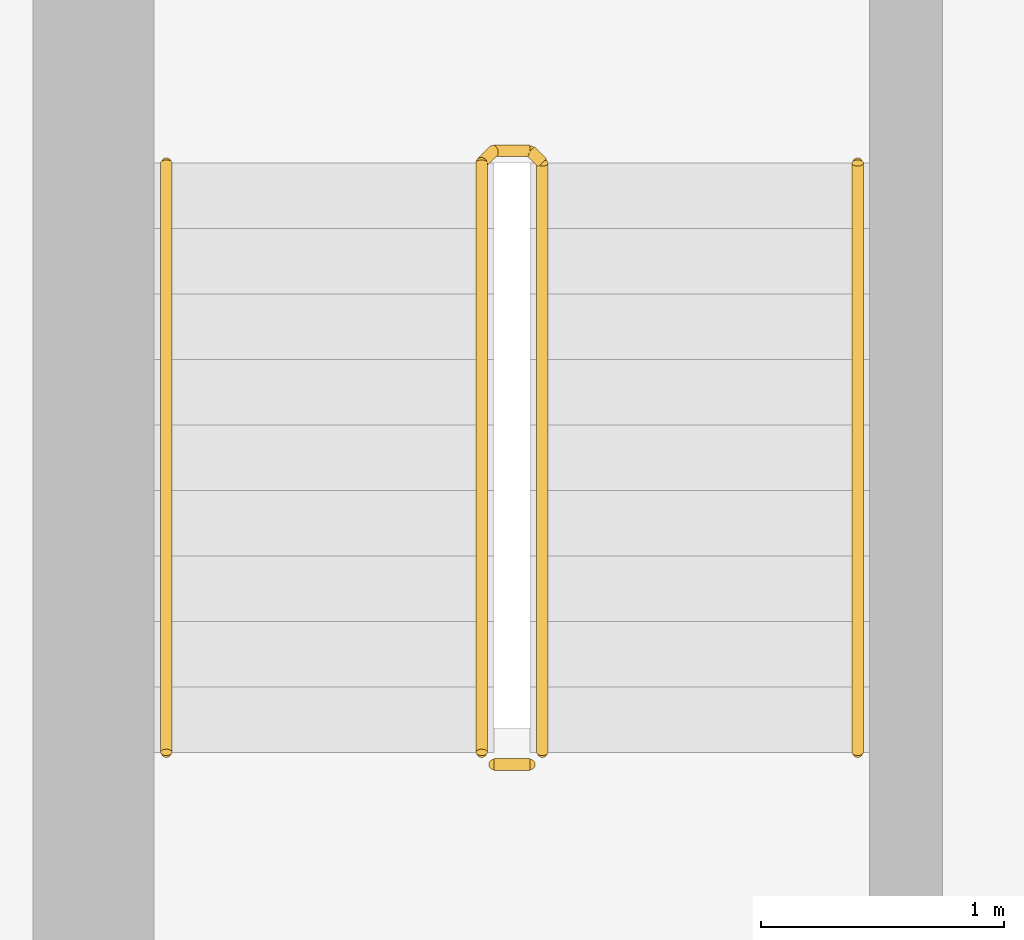
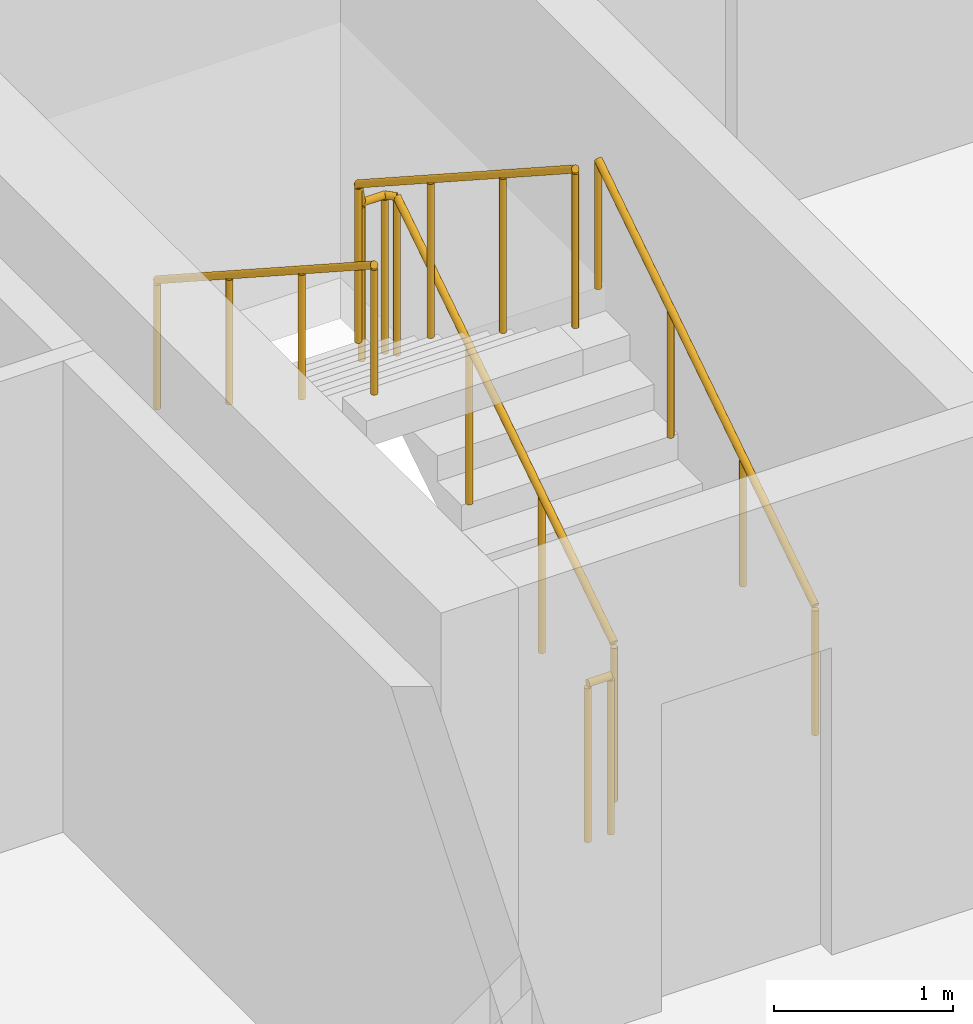
# One storey, part 13 of 18: 4 railings.
"""IFC4 building model written with IfcOpenShell, lengths in metres."""

from ifc_helpers import new_model, si_unit, direction, frame, origin, origin_2d, place, context, subcontext, project, spatial, circle, extrude, material, type_object, element, save


model = new_model("IFC4")

# Units and contexts
model_context = context("Model", 3, precision=1e-05, world=origin(), true_north=direction((0.0, 1.0)))
body_context = subcontext(model_context, "Body", "Model", "MODEL_VIEW")
ifc_project = project(units=[si_unit("LENGTHUNIT", "METRE"), si_unit("AREAUNIT", "SQUARE_METRE"), si_unit("VOLUMEUNIT", "CUBIC_METRE"), si_unit("PLANEANGLEUNIT", "RADIAN"), si_unit("MASSUNIT", "GRAM", prefix="KILO")], contexts=[model_context])

# Site, building, storey
site_placement = place(None, origin())
site = spatial("IfcSite", under=ifc_project, at=site_placement, CompositionType="ELEMENT")
building_placement = place(site_placement, origin())
building = spatial("IfcBuilding", under=site, at=building_placement, Name="Saffron Iwan Residences", CompositionType="ELEMENT")
storey_placement = place(building_placement, frame((0.0, 0.0, 257.0)))
storey = spatial("IfcBuildingStorey", under=building, at=storey_placement, Name="L69", CompositionType="ELEMENT", Elevation=257.0)

# Railings
ifc_material_1 = material(Name="Steel S355", Category="steel")
railing_type_1 = type_object("IfcRailingType", Name="Stair guard 1100", PredefinedType="GUARDRAIL", material=ifc_material_1)
railing_1_placement = place(storey_placement, frame((31.300048828125, 67.85009765625, 0.175048828125)))
element("IfcRailing", 1, at=railing_1_placement, inside=storey, type_object=railing_type_1, Name="L69 ST-W stair guard 1", PredefinedType="GUARDRAIL", context=body_context, shape_type="SweptSolid", body=[
    extrude(circle(Radius=0.02392578125, at=origin_2d()), frame((0.0, 0.0, 1.076171875), z_axis=(0.0, 0.839153699163, 0.543894354798), x_axis=(-1.0, 0.0, 0.0)), (0.0, 0.0, 1.0), 2.895751953125),
    extrude(circle(Radius=0.02392578125, at=origin_2d()), frame((0.0, 2.429931640625, 2.65087890625), z_axis=(-0.707106781187, 0.707106781187, 0.0), x_axis=(-0.707106781187, -0.707106781187, 0.0)), (0.0, 0.0, 1.0), 0.07080078125),
    extrude(circle(Radius=0.02392578125, at=origin_2d()), frame((-0.050048828125, 2.47998046875, 2.65087890625), z_axis=(-1.0, 0.0, 0.0), x_axis=(0.0, -1.0, 0.0)), (0.0, 0.0, 1.0), 0.14990234375),
    extrude(circle(Radius=0.02392578125, at=origin_2d()), frame((-0.199951171875, 2.47998046875, 2.65087890625), z_axis=(-0.265065253269, -0.265065253269, 0.927081885822), x_axis=(0.707106781187, -0.707106781187, 0.0)), (0.0, 0.0, 1.0), 0.188720703125),
    extrude(circle(Radius=0.02392578125, at=origin_2d()), frame((-0.25, 2.429931640625, 2.826171875), z_axis=(0.0, -0.839153699163, 0.543894354798), x_axis=(1.0, 0.0, 0.0)), (0.0, 0.0, 1.0), 2.895751953125),
    extrude(circle(Radius=0.02099609375, at=origin_2d()), origin(), (0.0, 0.0, 1.0), 1.052001953125),
    extrude(circle(Radius=0.02099609375, at=origin_2d()), frame((0.0, 0.81005859375, 0.52490234375)), (0.0, 0.0, 1.0), 1.052001953125),
    extrude(circle(Radius=0.02099609375, at=origin_2d()), frame((0.0, 1.619873046875, 1.050048828125)), (0.0, 0.0, 1.0), 1.052001953125),
    extrude(circle(Radius=0.02099609375, at=origin_2d()), frame((0.0, 2.429931640625, 1.574951171875)), (0.0, 0.0, 1.0), 1.052001953125),
    extrude(circle(Radius=0.02099609375, at=origin_2d()), frame((-0.050048828125, 2.47998046875, 1.574951171875)), (0.0, 0.0, 1.0), 1.052001953125),
    extrude(circle(Radius=0.02099609375, at=origin_2d()), frame((-0.199951171875, 2.47998046875, 1.574951171875)), (0.0, 0.0, 1.0), 1.052001953125),
    extrude(circle(Radius=0.02099609375, at=origin_2d()), frame((-0.25, 2.429931640625, 1.75)), (0.0, 0.0, 1.0), 1.052001953125),
    extrude(circle(Radius=0.02099609375, at=origin_2d()), frame((-0.25, 1.619873046875, 2.27490234375)), (0.0, 0.0, 1.0), 1.052001953125),
    extrude(circle(Radius=0.02099609375, at=origin_2d()), frame((-0.25, 0.81005859375, 2.800048828125)), (0.0, 0.0, 1.0), 1.052001953125),
    extrude(circle(Radius=0.02099609375, at=origin_2d()), frame((-0.25, 0.0, 3.324951171875)), (0.0, 0.0, 1.0), 1.052001953125),
])
railing_2_placement = place(storey_placement, frame((31.25, 67.800048828125, 0.0)))
element("IfcRailing", 2, at=railing_2_placement, inside=storey, type_object=railing_type_1, Name="L69 ST-W stair guard 2", PredefinedType="GUARDRAIL", context=body_context, shape_type="SweptSolid", body=[
    extrude(circle(Radius=0.02392578125, at=origin_2d()), frame((0.0, 0.0, 1.076171875), z_axis=(-1.0, 0.0, 0.0), x_axis=(0.0, -1.0, 0.0)), (0.0, 0.0, 1.0), 0.14990234375),
    extrude(circle(Radius=0.02099609375, at=origin_2d()), origin(), (0.0, 0.0, 1.0), 1.052001953125),
    extrude(circle(Radius=0.02099609375, at=origin_2d()), frame((-0.14990234375, 0.0, 0.0)), (0.0, 0.0, 1.0), 1.052001953125),
])
ifc_material_2 = material(Name="Stainless steel 316", Category="steel")
railing_type_2 = type_object("IfcRailingType", Name="Stair handrail 900", PredefinedType="HANDRAIL", material=ifc_material_2)
railing_3_placement = place(storey_placement, frame((32.60009765625, 67.85009765625, 0.175048828125)))
element("IfcRailing", 3, at=railing_3_placement, inside=storey, type_object=railing_type_2, Name="L69 ST-W stair handrail 1", PredefinedType="HANDRAIL", context=body_context, shape_type="SweptSolid", body=[
    extrude(circle(Radius=0.02392578125, at=origin_2d()), frame((0.0, 0.0, 0.8759765625), z_axis=(0.0, 0.839153699163, 0.543894354798), x_axis=(-1.0, 0.0, 0.0)), (0.0, 0.0, 1.0), 2.895751953125),
    extrude(circle(Radius=0.02099609375, at=origin_2d()), origin(), (0.0, 0.0, 1.0), 0.851806640625),
    extrude(circle(Radius=0.02099609375, at=origin_2d()), frame((0.0, 0.81005859375, 0.52490234375)), (0.0, 0.0, 1.0), 0.851806640625),
    extrude(circle(Radius=0.02099609375, at=origin_2d()), frame((0.0, 1.619873046875, 1.050048828125)), (0.0, 0.0, 1.0), 0.851806640625),
    extrude(circle(Radius=0.02099609375, at=origin_2d()), frame((0.0, 2.429931640625, 1.574951171875)), (0.0, 0.0, 1.0), 0.851806640625),
])
railing_4_placement = place(storey_placement, frame((29.75, 70.280029296875, 1.925048828125)))
element("IfcRailing", 4, at=railing_4_placement, inside=storey, type_object=railing_type_2, Name="L69 ST-W stair handrail 2", PredefinedType="HANDRAIL", context=body_context, shape_type="SweptSolid", body=[
    extrude(circle(Radius=0.02392578125, at=origin_2d()), frame((0.0, 0.0, 0.8759765625), z_axis=(0.0, -0.839153699163, 0.543894354798), x_axis=(1.0, 0.0, 0.0)), (0.0, 0.0, 1.0), 2.895751953125),
    extrude(circle(Radius=0.02099609375, at=origin_2d()), origin(), (0.0, 0.0, 1.0), 0.851806640625),
    extrude(circle(Radius=0.02099609375, at=origin_2d()), frame((0.0, -0.81005859375, 0.52490234375)), (0.0, 0.0, 1.0), 0.851806640625),
    extrude(circle(Radius=0.02099609375, at=origin_2d()), frame((0.0, -1.619873046875, 1.050048828125)), (0.0, 0.0, 1.0), 0.851806640625),
    extrude(circle(Radius=0.02099609375, at=origin_2d()), frame((0.0, -2.429931640625, 1.574951171875)), (0.0, 0.0, 1.0), 0.851806640625),
])

save(model, "model.ifc")
